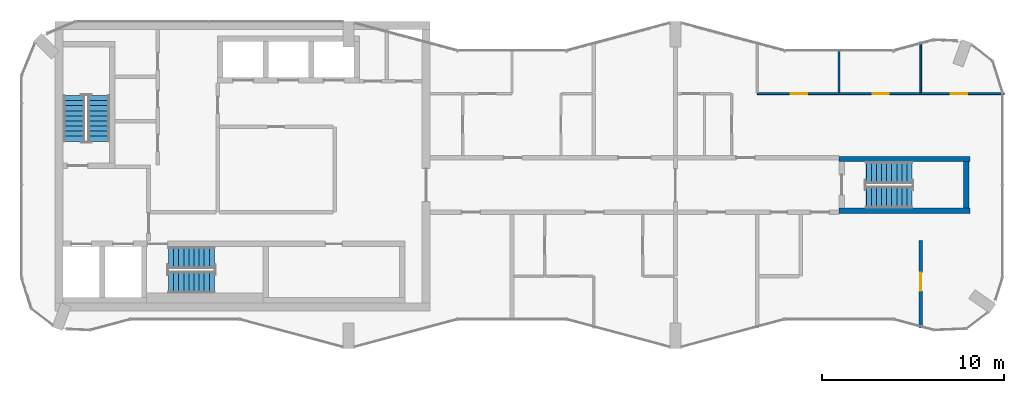
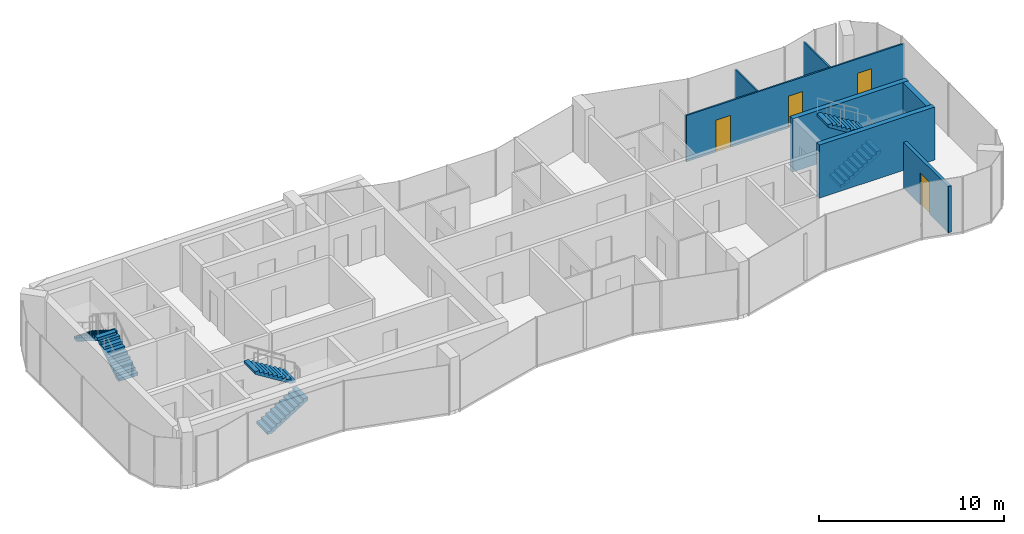
# One storey, part 9 of 10: 7 walls, 6 stair flights, 4 doors, 4 openings, 3 elements without a shape of their own.
"""IFC4 building model written with IfcOpenShell, lengths in metres."""

from ifc_helpers import new_model, si_unit, direction, frame, frame_2d, origin, place, context, subcontext, project, spatial, polyline, rectangle, outline, extrude, material, layer, layer_set, type_object, element, fill, aggregate, save


model = new_model("IFC4")

# Units and contexts
model_context = context("Model", 3, precision=1e-05, world=origin(), true_north=direction((0.0, 1.0)))
body_context = subcontext(model_context, "Body", "Model", "MODEL_VIEW")
ifc_project = project(units=[si_unit("LENGTHUNIT", "METRE"), si_unit("AREAUNIT", "SQUARE_METRE"), si_unit("VOLUMEUNIT", "CUBIC_METRE"), si_unit("PLANEANGLEUNIT", "RADIAN"), si_unit("MASSUNIT", "GRAM", prefix="KILO")], contexts=[model_context])

# Site, building, storey
site_placement = place(None, origin())
site = spatial("IfcSite", under=ifc_project, at=site_placement, CompositionType="ELEMENT")
building_placement = place(site_placement, origin())
building = spatial("IfcBuilding", under=site, at=building_placement, Name="Plateau Cross Towers", CompositionType="ELEMENT")
storey_placement = place(building_placement, frame((0.0, 0.0, 284.39990234375)))
storey = spatial("IfcBuildingStorey", under=building, at=storey_placement, Name="L75", CompositionType="ELEMENT", Elevation=284.39990234375)

# Wall, openings, doors
ifc_material_1 = material(Name="Gypsum board on steel studs", Category="steel")
ifc_layer_1 = layer(ifc_material_1, 0.10009765625)
ifc_layer_set_1 = layer_set([ifc_layer_1], Name="Gypsum board on steel studs")
wall_type_1 = type_object("IfcWallType", Name="Flat partition 100", PredefinedType="PARTITIONING", material=ifc_layer_set_1)
wall_1_placement = place(storey_placement, frame((40.5, 14.02490234375, 0.0), z_axis=(0.0, 0.0, 1.0), x_axis=(1.0, 0.0, 0.0)))
wall_1 = element("IfcWall", 1, at=wall_1_placement, inside=storey, type_object=wall_type_1, Name="Partition wall", PredefinedType="PARTITIONING", context=body_context, shape_type="SweptSolid", body=[
    extrude(rectangle(XDim=13.580078125, YDim=0.10009765625, at=frame_2d((6.7900390625, 0.0))), origin(), (0.0, 0.0, 1.0), 3.050048828125),
])
opening_1_placement = place(wall_1_placement, frame((1.85009765625, 0.0, 0.0)))
opening_1 = element("IfcOpeningElement", 2, at=opening_1_placement, cuts=wall_1, Name="Opening 75-19", PredefinedType="OPENING", context=body_context, shape_type="SweptSolid", body=[
    extrude(rectangle(XDim=0.89990234375, YDim=2.10009765625, at=frame_2d((0.449951171875, 1.050048828125))), frame((0.0, 0.06005859375, 0.0), z_axis=(0.0, -1.0, 0.0), x_axis=(1.0, 0.0, 0.0)), (0.0, 0.0, 1.0), 0.1201171875),
])
opening_2_placement = place(wall_1_placement, frame((6.35009765625, 0.0, 0.0)))
opening_2 = element("IfcOpeningElement", 3, at=opening_2_placement, cuts=wall_1, Name="Opening 75-20", PredefinedType="OPENING", context=body_context, shape_type="SweptSolid", body=[
    extrude(rectangle(XDim=0.89990234375, YDim=2.10009765625, at=frame_2d((0.449951171875, 1.050048828125))), frame((0.0, 0.06005859375, 0.0), z_axis=(0.0, -1.0, 0.0), x_axis=(1.0, 0.0, 0.0)), (0.0, 0.0, 1.0), 0.1201171875),
])
opening_3_placement = place(wall_1_placement, frame((10.64990234375, 0.0, 0.0)))
opening_3 = element("IfcOpeningElement", 4, at=opening_3_placement, cuts=wall_1, Name="Opening 75-21", PredefinedType="OPENING", context=body_context, shape_type="SweptSolid", body=[
    extrude(rectangle(XDim=0.89990234375, YDim=2.10009765625, at=frame_2d((0.449951171875, 1.050048828125))), frame((0.0, 0.06005859375, 0.0), z_axis=(0.0, -1.0, 0.0), x_axis=(1.0, 0.0, 0.0)), (0.0, 0.0, 1.0), 0.1201171875),
])
ifc_material_2 = material(Name="Timber leaf", Category="wood")
door_type_1 = type_object("IfcDoorType", Name="Flat room door 900", OperationType="NOTDEFINED", PredefinedType="DOOR", material=ifc_material_2)
door_1_placement = place(opening_1_placement, origin())
door_1 = element("IfcDoor", 5, at=door_1_placement, inside=storey, type_object=door_type_1, Name="Door 75-19", OperationType="SINGLE_SWING_LEFT", OverallHeight=2.10009765625, OverallWidth=0.89990234375, PredefinedType="DOOR", context=body_context, shape_type="SweptSolid", body=[
    extrude(rectangle(XDim=0.89990234375, YDim=2.10009765625, at=frame_2d((0.449951171875, 1.050048828125))), frame((0.0, 0.02490234375, 0.0), z_axis=(0.0, -1.0, 0.0), x_axis=(1.0, 0.0, 0.0)), (0.0, 0.0, 1.0), 0.050048828125),
])
fill(opening_1, door_1)
door_2_placement = place(opening_2_placement, origin())
door_2 = element("IfcDoor", 6, at=door_2_placement, inside=storey, type_object=door_type_1, Name="Door 75-20", OperationType="SINGLE_SWING_RIGHT", OverallHeight=2.10009765625, OverallWidth=0.89990234375, PredefinedType="DOOR", context=body_context, shape_type="SweptSolid", body=[
    extrude(rectangle(XDim=0.89990234375, YDim=2.10009765625, at=frame_2d((0.449951171875, 1.050048828125))), frame((0.0, 0.02490234375, 0.0), z_axis=(0.0, -1.0, 0.0), x_axis=(1.0, 0.0, 0.0)), (0.0, 0.0, 1.0), 0.050048828125),
])
fill(opening_2, door_2)
door_3_placement = place(opening_3_placement, origin())
door_3 = element("IfcDoor", 7, at=door_3_placement, inside=storey, type_object=door_type_1, Name="Door 75-21", OperationType="SINGLE_SWING_RIGHT", OverallHeight=2.10009765625, OverallWidth=0.89990234375, PredefinedType="DOOR", context=body_context, shape_type="SweptSolid", body=[
    extrude(rectangle(XDim=0.89990234375, YDim=2.10009765625, at=frame_2d((0.449951171875, 1.050048828125))), frame((0.0, 0.02490234375, 0.0), z_axis=(0.0, -1.0, 0.0), x_axis=(1.0, 0.0, 0.0)), (0.0, 0.0, 1.0), 0.050048828125),
])
fill(opening_3, door_3)

# Walls
wall_2_placement = place(storey_placement, frame((45.0, 14.074951171875, 0.0), z_axis=(0.0, 0.0, 1.0), x_axis=(0.0, 1.0, 0.0)))
element("IfcWall", 8, at=wall_2_placement, inside=storey, type_object=wall_type_1, Name="Partition wall", PredefinedType="PARTITIONING", context=body_context, shape_type="SweptSolid", body=[
    extrude(rectangle(XDim=2.398193359375, YDim=0.10009765625, at=frame_2d((1.19921875, 0.0))), origin(), (0.0, 0.0, 1.0), 3.050048828125),
])
wall_3_placement = place(storey_placement, frame((49.5, 14.074951171875, 0.0), z_axis=(0.0, 0.0, 1.0), x_axis=(0.0, 1.0, 0.0)))
element("IfcWall", 9, at=wall_3_placement, inside=storey, type_object=wall_type_1, Name="Partition wall", PredefinedType="PARTITIONING", context=body_context, shape_type="SweptSolid", body=[
    extrude(rectangle(XDim=2.802734375, YDim=0.10009765625, at=frame_2d((1.4013671875, 0.0))), origin(), (0.0, 0.0, 1.0), 3.050048828125),
])

# Wall, opening, door
ifc_material_3 = material(Name="Gypsum board on steel studs, two layers each side", Category="steel")
ifc_layer_2 = layer(ifc_material_3, 0.199951171875)
ifc_layer_set_2 = layer_set([ifc_layer_2], Name="Gypsum board on steel studs, two layers each side")
wall_type_2 = type_object("IfcWallType", Name="Flat party wall 200", PredefinedType="PARTITIONING", material=ifc_layer_set_2)
wall_4_placement = place(storey_placement, frame((49.5, 1.122314453125, 0.0), z_axis=(0.0, 0.0, 1.0), x_axis=(0.0, 1.0, 0.0)))
wall_4 = element("IfcWall", 10, at=wall_4_placement, inside=storey, type_object=wall_type_2, Name="Party wall", PredefinedType="PARTITIONING", context=body_context, shape_type="SweptSolid", body=[
    extrude(rectangle(XDim=4.82763671875, YDim=0.199951171875, at=frame_2d((2.413818359375, 0.0))), origin(), (0.0, 0.0, 1.0), 3.050048828125),
])
opening_4_placement = place(wall_4_placement, frame((2.050048828125, 0.0, 0.0)))
opening_4 = element("IfcOpeningElement", 11, at=opening_4_placement, cuts=wall_4, Name="Opening 75-10", PredefinedType="OPENING", context=body_context, shape_type="SweptSolid", body=[
    extrude(rectangle(XDim=1.0, YDim=2.10009765625, at=frame_2d((0.5, 1.050048828125))), frame((0.0, 0.10986328125, 0.0), z_axis=(0.0, -1.0, 0.0), x_axis=(1.0, 0.0, 0.0)), (0.0, 0.0, 1.0), 0.219970703125),
])
ifc_material_4 = material(Name="Timber, fire-resisting leaf", Category="wood")
door_type_2 = type_object("IfcDoorType", Name="Flat entrance door 1000", OperationType="NOTDEFINED", PredefinedType="DOOR", material=ifc_material_4)
door_4_placement = place(opening_4_placement, origin())
door_4 = element("IfcDoor", 12, at=door_4_placement, inside=storey, type_object=door_type_2, Name="Door 75-10", OperationType="SINGLE_SWING_RIGHT", OverallHeight=2.10009765625, OverallWidth=1.0, PredefinedType="DOOR", context=body_context, shape_type="SweptSolid", body=[
    extrude(rectangle(XDim=1.0, YDim=2.10009765625, at=frame_2d((0.5, 1.050048828125))), frame((0.0, 0.02490234375, 0.0), z_axis=(0.0, -1.0, 0.0), x_axis=(1.0, 0.0, 0.0)), (0.0, 0.0, 1.0), 0.050048828125),
])
fill(opening_4, door_4)

# Walls
ifc_material_5 = material(Name="Concrete C60/75", Category="concrete")
ifc_layer_3 = layer(ifc_material_5, 0.300048828125)
ifc_layer_set_3 = layer_set([ifc_layer_3], Name="Concrete C60/75")
wall_type_3 = type_object("IfcWallType", Name="Stair tower wall 300", PredefinedType="SHEAR", material=ifc_layer_set_3)
wall_5_placement = place(storey_placement, frame((52.0, 7.72509765625, 0.0), z_axis=(0.0, 0.0, 1.0), x_axis=(0.0, 1.0, 0.0)))
element("IfcWall", 13, at=wall_5_placement, inside=storey, type_object=wall_type_3, Name="A-end-E-E@L75", PredefinedType="SHEAR", context=body_context, shape_type="SweptSolid", body=[
    extrude(rectangle(XDim=2.5498046875, YDim=0.300048828125, at=frame_2d((1.27490234375, 0.0))), origin(), (0.0, 0.0, 1.0), 3.5),
])
for number, where, z_axis, x_axis, name in (
    (14, (45.0, 7.574951171875, 0.0), (0.0, 0.0, 1.0), (1.0, 0.0, 0.0), "A-end-E-S@L75"),
    (15, (45.0, 10.425048828125, 0.0), (0.0, 0.0, 1.0), (1.0, 0.0, 0.0), "A-end-E-N@L75"),
):
    element("IfcWall", number, at=place(storey_placement, frame(where, z_axis=z_axis, x_axis=x_axis)), inside=storey, type_object=wall_type_3, Name=name, PredefinedType="SHEAR", context=body_context, shape_type="SweptSolid", body=[
        extrude(rectangle(XDim=7.199951171875, YDim=0.300048828125, at=frame_2d((3.60009765625, 0.0))), origin(), (0.0, 0.0, 1.0), 3.5),
    ])

# Stair, stair flights
ifc_material_6 = material(Name="Concrete C40/50", Category="concrete")
stair_type = type_object("IfcStairType", Name="ST-TWR", PredefinedType="HALF_TURN_STAIR", material=ifc_material_6)
stair_1_placement = place(storey_placement, origin())
stair_1 = element("IfcStair", 16, at=stair_1_placement, inside=storey, type_object=stair_type, Name="L75 Protected Exit Stair ST-1", PredefinedType="HALF_TURN_STAIR")
stair_flight_type = type_object("IfcStairFlightType", Name="SFL-RC", PredefinedType="STRAIGHT", material=ifc_material_6)
stair_flight_1_placement = place(storey_placement, frame((4.25, 11.39990234375, 0.0), z_axis=(0.0, 0.0, 1.0), x_axis=(0.0, 1.0, 0.0)))
stair_flight_1 = element("IfcStairFlight", 17, at=stair_flight_1_placement, type_object=stair_flight_type, Name="ST-1 flight 1", NumberOfRisers=10, NumberOfTreads=9, PredefinedType="STRAIGHT", RiserHeight=0.175, TreadLength=0.28, context=body_context, shape_type="SweptSolid", body=[
    extrude(outline(polyline([(-0.0048828125, -0.010009765625), (-0.0048828125, 0.0), (0.0, 0.0), (0.0, 0.175048828125), (0.280029296875, 0.175048828125), (0.280029296875, 0.35009765625), (0.56005859375, 0.35009765625), (0.56005859375, 0.52490234375), (0.840087890625, 0.52490234375), (0.840087890625, 0.699951171875), (1.1201171875, 0.699951171875), (1.1201171875, 0.875), (1.39990234375, 0.875), (1.39990234375, 1.050048828125), (1.679931640625, 1.050048828125), (1.679931640625, 1.22509765625), (1.9599609375, 1.22509765625), (1.9599609375, 1.39990234375), (2.239990234375, 1.39990234375), (2.239990234375, 1.574951171875), (2.52001953125, 1.574951171875), (2.52490234375, 1.56494140625), (2.52490234375, 1.398193359375), (2.52001953125, 1.398193359375), (0.28271484375, 0.0), (0.02001953125, 0.0), (0.02001953125, -0.010009765625), (-0.0048828125, -0.010009765625)])), frame((0.0, 0.60009765625, 0.0), z_axis=(0.0, -1.0, 0.0), x_axis=(1.0, 0.0, 0.0)), (0.0, 0.0, 1.0), 1.199951171875),
])
stair_flight_2_placement = place(storey_placement, frame((2.89990234375, 13.919921875, 1.75), z_axis=(0.0, 0.0, 1.0), x_axis=(0.0, -1.0, 0.0)))
stair_flight_2 = element("IfcStairFlight", 18, at=stair_flight_2_placement, type_object=stair_flight_type, Name="ST-1 flight 2", NumberOfRisers=10, NumberOfTreads=9, PredefinedType="STRAIGHT", RiserHeight=0.175, TreadLength=0.28, context=body_context, shape_type="SweptSolid", body=[
    extrude(outline(polyline([(-0.0048828125, -0.010009765625), (-0.0048828125, 0.0), (0.0, 0.0), (0.0, 0.175048828125), (0.280029296875, 0.175048828125), (0.280029296875, 0.35009765625), (0.56005859375, 0.35009765625), (0.56005859375, 0.52490234375), (0.840087890625, 0.52490234375), (0.840087890625, 0.699951171875), (1.1201171875, 0.699951171875), (1.1201171875, 0.875), (1.39990234375, 0.875), (1.39990234375, 1.050048828125), (1.679931640625, 1.050048828125), (1.679931640625, 1.22509765625), (1.9599609375, 1.22509765625), (1.9599609375, 1.39990234375), (2.239990234375, 1.39990234375), (2.239990234375, 1.574951171875), (2.52001953125, 1.574951171875), (2.52490234375, 1.56494140625), (2.52490234375, 1.398193359375), (2.52001953125, 1.398193359375), (0.28271484375, 0.0), (0.02001953125, 0.0), (0.02001953125, -0.010009765625), (-0.0048828125, -0.010009765625)])), frame((0.0, 0.60009765625, 0.0), z_axis=(0.0, -1.0, 0.0), x_axis=(1.0, 0.0, 0.0)), (0.0, 0.0, 1.0), 1.199951171875),
])
aggregate(stair_1, [stair_flight_1, stair_flight_2])

stair_2_placement = place(storey_placement, origin())
stair_2 = element("IfcStair", 19, at=stair_2_placement, inside=storey, type_object=stair_type, Name="L75 Protected Exit Stair ST-2", PredefinedType="HALF_TURN_STAIR")
stair_flight_3_placement = place(storey_placement, frame((8.10009765625, 3.64990234375, 0.0), z_axis=(0.0, 0.0, 1.0), x_axis=(1.0, 0.0, 0.0)))
stair_flight_3 = element("IfcStairFlight", 20, at=stair_flight_3_placement, type_object=stair_flight_type, Name="ST-2 flight 1", NumberOfRisers=10, NumberOfTreads=9, PredefinedType="STRAIGHT", RiserHeight=0.175, TreadLength=0.28, context=body_context, shape_type="SweptSolid", body=[
    extrude(outline(polyline([(-0.0048828125, -0.010009765625), (-0.0048828125, 0.0), (0.0, 0.0), (0.0, 0.175048828125), (0.280029296875, 0.175048828125), (0.280029296875, 0.35009765625), (0.56005859375, 0.35009765625), (0.56005859375, 0.52490234375), (0.840087890625, 0.52490234375), (0.840087890625, 0.699951171875), (1.1201171875, 0.699951171875), (1.1201171875, 0.875), (1.39990234375, 0.875), (1.39990234375, 1.050048828125), (1.679931640625, 1.050048828125), (1.679931640625, 1.22509765625), (1.9599609375, 1.22509765625), (1.9599609375, 1.39990234375), (2.239990234375, 1.39990234375), (2.239990234375, 1.574951171875), (2.52001953125, 1.574951171875), (2.52490234375, 1.56494140625), (2.52490234375, 1.398193359375), (2.52001953125, 1.398193359375), (0.28271484375, 0.0), (0.02001953125, 0.0), (0.02001953125, -0.010009765625), (-0.0048828125, -0.010009765625)])), frame((0.0, 0.60009765625, 0.0), z_axis=(0.0, -1.0, 0.0), x_axis=(1.0, 0.0, 0.0)), (0.0, 0.0, 1.0), 1.199951171875),
])
stair_flight_4_placement = place(storey_placement, frame((10.6201171875, 5.0, 1.75), z_axis=(0.0, 0.0, 1.0), x_axis=(-1.0, 0.0, 0.0)))
stair_flight_4 = element("IfcStairFlight", 21, at=stair_flight_4_placement, type_object=stair_flight_type, Name="ST-2 flight 2", NumberOfRisers=10, NumberOfTreads=9, PredefinedType="STRAIGHT", RiserHeight=0.175, TreadLength=0.28, context=body_context, shape_type="SweptSolid", body=[
    extrude(outline(polyline([(-0.0048828125, -0.010009765625), (-0.0048828125, 0.0), (0.0, 0.0), (0.0, 0.175048828125), (0.280029296875, 0.175048828125), (0.280029296875, 0.35009765625), (0.56005859375, 0.35009765625), (0.56005859375, 0.52490234375), (0.840087890625, 0.52490234375), (0.840087890625, 0.699951171875), (1.1201171875, 0.699951171875), (1.1201171875, 0.875), (1.39990234375, 0.875), (1.39990234375, 1.050048828125), (1.679931640625, 1.050048828125), (1.679931640625, 1.22509765625), (1.9599609375, 1.22509765625), (1.9599609375, 1.39990234375), (2.239990234375, 1.39990234375), (2.239990234375, 1.574951171875), (2.52001953125, 1.574951171875), (2.52490234375, 1.56494140625), (2.52490234375, 1.398193359375), (2.52001953125, 1.398193359375), (0.28271484375, 0.0), (0.02001953125, 0.0), (0.02001953125, -0.010009765625), (-0.0048828125, -0.010009765625)])), frame((0.0, 0.60009765625, 0.0), z_axis=(0.0, -1.0, 0.0), x_axis=(1.0, 0.0, 0.0)), (0.0, 0.0, 1.0), 1.199951171875),
])
aggregate(stair_2, [stair_flight_3, stair_flight_4])

stair_3_placement = place(storey_placement, origin())
stair_3 = element("IfcStair", 22, at=stair_3_placement, inside=storey, type_object=stair_type, Name="L75 Protected Exit Stair E", PredefinedType="HALF_TURN_STAIR")
stair_flight_5_placement = place(storey_placement, frame((46.5, 8.324951171875, 0.0), z_axis=(0.0, 0.0, 1.0), x_axis=(1.0, 0.0, 0.0)))
stair_flight_5 = element("IfcStairFlight", 23, at=stair_flight_5_placement, type_object=stair_flight_type, Name="ES-E flight 1", NumberOfRisers=10, NumberOfTreads=9, PredefinedType="STRAIGHT", RiserHeight=0.175, TreadLength=0.28, context=body_context, shape_type="SweptSolid", body=[
    extrude(outline(polyline([(-0.0048828125, -0.010009765625), (-0.0048828125, 0.0), (0.0, 0.0), (0.0, 0.175048828125), (0.280029296875, 0.175048828125), (0.280029296875, 0.35009765625), (0.56005859375, 0.35009765625), (0.56005859375, 0.52490234375), (0.840087890625, 0.52490234375), (0.840087890625, 0.699951171875), (1.1201171875, 0.699951171875), (1.1201171875, 0.875), (1.39990234375, 0.875), (1.39990234375, 1.050048828125), (1.679931640625, 1.050048828125), (1.679931640625, 1.22509765625), (1.9599609375, 1.22509765625), (1.9599609375, 1.39990234375), (2.239990234375, 1.39990234375), (2.239990234375, 1.574951171875), (2.52001953125, 1.574951171875), (2.52490234375, 1.56494140625), (2.52490234375, 1.398193359375), (2.52001953125, 1.398193359375), (0.28271484375, 0.0), (0.02001953125, 0.0), (0.02001953125, -0.010009765625), (-0.0048828125, -0.010009765625)])), frame((0.0, 0.60009765625, 0.0), z_axis=(0.0, -1.0, 0.0), x_axis=(1.0, 0.0, 0.0)), (0.0, 0.0, 1.0), 1.199951171875),
])
stair_flight_6_placement = place(storey_placement, frame((49.02001953125, 9.675048828125, 1.75), z_axis=(0.0, 0.0, 1.0), x_axis=(-1.0, 0.0, 0.0)))
stair_flight_6 = element("IfcStairFlight", 24, at=stair_flight_6_placement, type_object=stair_flight_type, Name="ES-E flight 2", NumberOfRisers=10, NumberOfTreads=9, PredefinedType="STRAIGHT", RiserHeight=0.175, TreadLength=0.28, context=body_context, shape_type="SweptSolid", body=[
    extrude(outline(polyline([(-0.0048828125, -0.010009765625), (-0.0048828125, 0.0), (0.0, 0.0), (0.0, 0.175048828125), (0.280029296875, 0.175048828125), (0.280029296875, 0.35009765625), (0.56005859375, 0.35009765625), (0.56005859375, 0.52490234375), (0.840087890625, 0.52490234375), (0.840087890625, 0.699951171875), (1.1201171875, 0.699951171875), (1.1201171875, 0.875), (1.39990234375, 0.875), (1.39990234375, 1.050048828125), (1.679931640625, 1.050048828125), (1.679931640625, 1.22509765625), (1.9599609375, 1.22509765625), (1.9599609375, 1.39990234375), (2.239990234375, 1.39990234375), (2.239990234375, 1.574951171875), (2.52001953125, 1.574951171875), (2.52490234375, 1.56494140625), (2.52490234375, 1.398193359375), (2.52001953125, 1.398193359375), (0.28271484375, 0.0), (0.02001953125, 0.0), (0.02001953125, -0.010009765625), (-0.0048828125, -0.010009765625)])), frame((0.0, 0.60009765625, 0.0), z_axis=(0.0, -1.0, 0.0), x_axis=(1.0, 0.0, 0.0)), (0.0, 0.0, 1.0), 1.199951171875),
])
aggregate(stair_3, [stair_flight_5, stair_flight_6])

save(model, "model.ifc")
